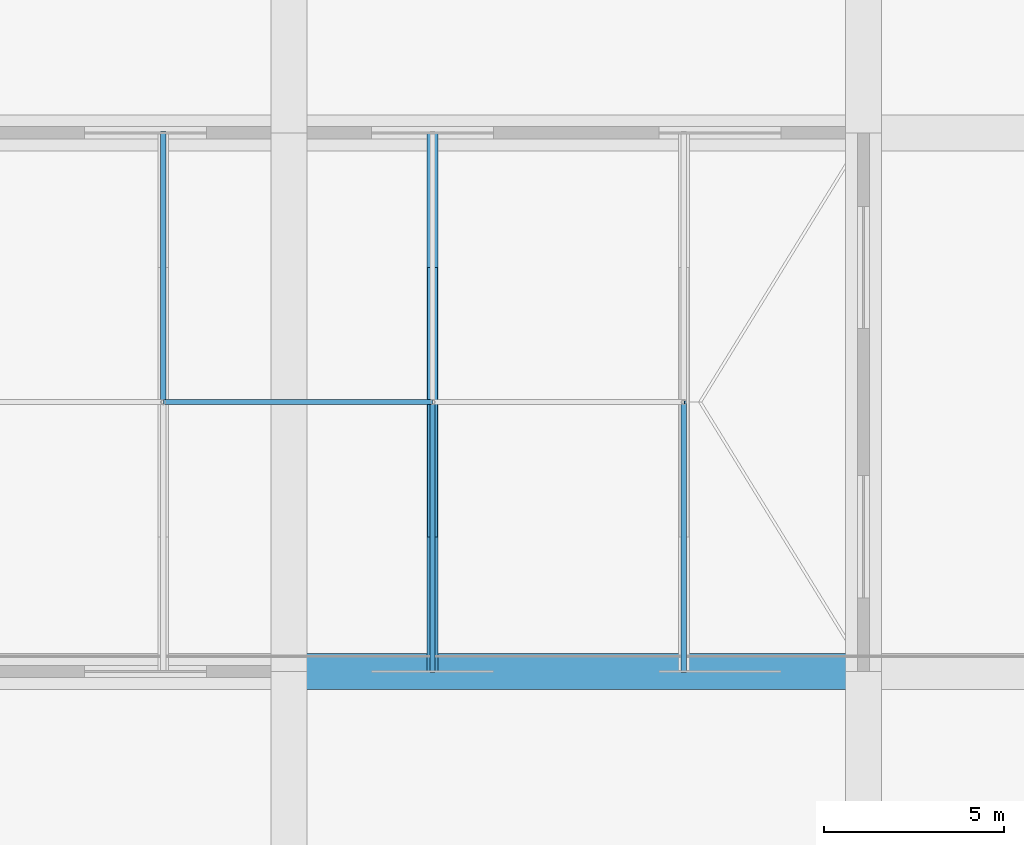
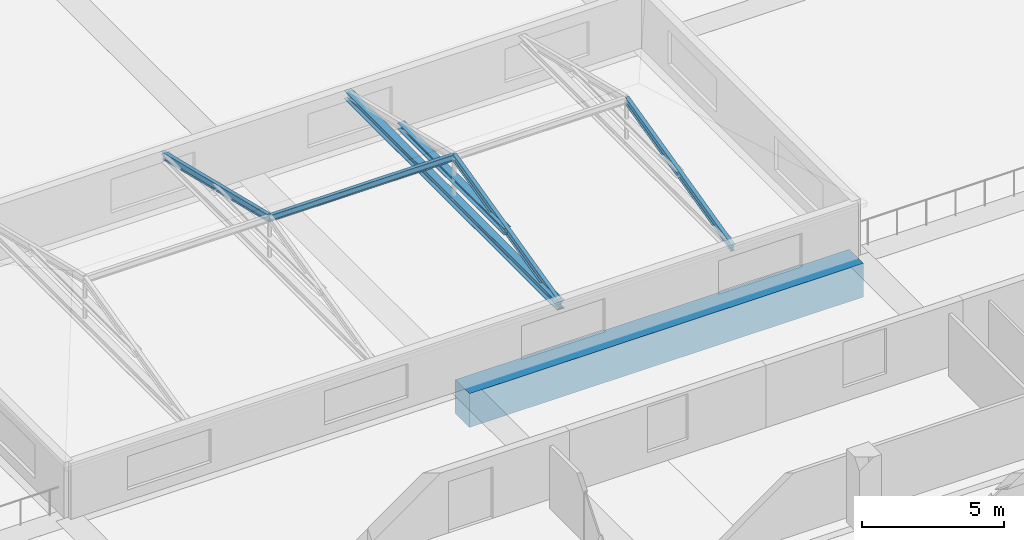
# One storey, part 21 of 49: 6 members, 1 beam.
"""IFC4 building model written with IfcOpenShell, lengths in metres."""

from ifc_helpers import new_model, si_unit, direction, frame, origin, origin_2d, place, context, subcontext, project, spatial, rectangle, i_section, extrude, material, material_profile, profile_set, type_object, element, save


model = new_model("IFC4")

# Units and contexts
model_context = context("Model", 3, precision=1e-05, world=origin(), true_north=direction((0.0, 1.0)))
body_context = subcontext(model_context, "Body", "Model", "MODEL_VIEW")
ifc_project = project(units=[si_unit("LENGTHUNIT", "METRE"), si_unit("AREAUNIT", "SQUARE_METRE"), si_unit("VOLUMEUNIT", "CUBIC_METRE"), si_unit("PLANEANGLEUNIT", "RADIAN"), si_unit("MASSUNIT", "GRAM", prefix="KILO")], contexts=[model_context])

# Site, building, storey
site_placement = place(None, origin())
site = spatial("IfcSite", under=ifc_project, at=site_placement, CompositionType="ELEMENT")
building_placement = place(site_placement, origin())
building = spatial("IfcBuilding", under=site, at=building_placement, Name="Akrevak Sports Hall", CompositionType="ELEMENT")
storey_placement = place(building_placement, frame((0.0, 0.0, 24.14990234375)))
storey = spatial("IfcBuildingStorey", under=building, at=storey_placement, Name="L04", CompositionType="ELEMENT", Elevation=24.14990234375)

# Beam
ifc_material_1 = material(Name="Concrete C50/60", Category="concrete")
ifc_material_profile_1 = material_profile(ifc_material_1, rectangle(XDim=1.0, YDim=1.449951171875, at=origin_2d()), Name="BM 1000x1450", Category="concrete")
ifc_profile_set_1 = profile_set([ifc_material_profile_1], Name="Concrete C50/60")
beam_type = type_object("IfcBeamType", Name="STR-BM-LG1000x1450", PredefinedType="BEAM", material=ifc_profile_set_1)
beam_placement = place(storey_placement, frame((76.0, 84.0, -0.724853515625), z_axis=(1.0, 0.0, 0.0), x_axis=(0.0, 1.0, 0.0)))
element("IfcBeam", 1, at=beam_placement, inside=storey, type_object=beam_type, Name="Girder M/11-13 (L04)", PredefinedType="BEAM", context=body_context, shape_type="SweptSolid", body=[
    extrude(rectangle(XDim=1.0, YDim=1.449951171875, at=origin_2d()), origin(), (0.0, 0.0, 1.0), 16.0),
])

# Members
ifc_material_2 = material(Name="Steel S355", Category="steel")
ifc_material_profile_2 = material_profile(ifc_material_2, i_section(OverallWidth=0.280029296875, OverallDepth=0.27001953125, WebThickness=0.008056640625, FlangeThickness=0.012939453125, FilletRadius=0.02392578125, at=origin_2d()), Name="HEA 280", Category="steel")
ifc_profile_set_2 = profile_set([ifc_material_profile_2], Name="Steel S355")
member_type_1 = type_object("IfcMemberType", Name="STR-MEM-CHORD-HEA280", PredefinedType="CHORD", material=ifc_profile_set_2)
member_1_placement = place(storey_placement, frame((80.0, 87.75, 3.01513671875), z_axis=(0.0, 1.0, 0.0), x_axis=(-1.0, 0.0, 0.0)))
element("IfcMember", 2, at=member_1_placement, inside=storey, type_object=member_type_1, Name="North Athletes Hall Clerestory Monitor Roof Collar Tie Chord 3", PredefinedType="CHORD", context=body_context, shape_type="SweptSolid", body=[
    extrude(i_section(OverallWidth=0.280029296875, OverallDepth=0.27001953125, WebThickness=0.008056640625, FlangeThickness=0.012939453125, FilletRadius=0.02392578125, at=origin_2d()), origin(), (0.0, 0.0, 1.0), 7.5),
])
ifc_material_profile_3 = material_profile(ifc_material_2, i_section(OverallWidth=0.300048828125, OverallDepth=0.360107421875, WebThickness=0.012451171875, FlangeThickness=0.0224609375, FilletRadius=0.027099609375, at=origin_2d()), Name="HEB 360", Category="steel")
ifc_profile_set_3 = profile_set([ifc_material_profile_3], Name="Steel S355")
member_type_2 = type_object("IfcMemberType", Name="STR-MEM-CHORD-HEB360", PredefinedType="CHORD", material=ifc_profile_set_3)
member_2_placement = place(storey_placement, frame((80.0, 84.0, 2.10009765625), z_axis=(0.0, 1.0, 0.0), x_axis=(-1.0, 0.0, 0.0)))
element("IfcMember", 3, at=member_2_placement, inside=storey, type_object=member_type_2, Name="North Athletes Hall Clerestory Monitor Roof Bottom Tie Chord 3", PredefinedType="CHORD", context=body_context, shape_type="SweptSolid", body=[
    extrude(i_section(OverallWidth=0.300048828125, OverallDepth=0.360107421875, WebThickness=0.012451171875, FlangeThickness=0.0224609375, FilletRadius=0.027099609375, at=origin_2d()), origin(), (0.0, 0.0, 1.0), 15.0),
])
ifc_material_profile_4 = material_profile(ifc_material_2, i_section(OverallWidth=0.135009765625, OverallDepth=0.27001953125, WebThickness=0.006591796875, FlangeThickness=0.01025390625, FilletRadius=0.014892578125, at=origin_2d()), Name="IPE 270", Category="steel")
ifc_profile_set_4 = profile_set([ifc_material_profile_4], Name="Steel S355")
member_type_3 = type_object("IfcMemberType", Name="STR-MEM-PUR-IPE270", PredefinedType="PURLIN", material=ifc_profile_set_4)
member_3_placement = place(storey_placement, frame((72.5, 91.5, 3.93017578125), z_axis=(1.0, 0.0, 0.0), x_axis=(0.0, 1.0, 0.0)))
element("IfcMember", 4, at=member_3_placement, inside=storey, type_object=member_type_3, Name="North Athletes Hall Clerestory Monitor Roof Ridge Steel Purlin 2", PredefinedType="PURLIN", context=body_context, shape_type="SweptSolid", body=[
    extrude(i_section(OverallWidth=0.135009765625, OverallDepth=0.27001953125, WebThickness=0.006591796875, FlangeThickness=0.01025390625, FilletRadius=0.014892578125, at=origin_2d()), origin(), (0.0, 0.0, 1.0), 7.5),
])
ifc_material_profile_5 = material_profile(ifc_material_2, i_section(OverallWidth=0.14990234375, OverallDepth=0.300048828125, WebThickness=0.007080078125, FlangeThickness=0.0107421875, FilletRadius=0.014892578125, at=origin_2d()), Name="IPE 300", Category="steel")
ifc_profile_set_5 = profile_set([ifc_material_profile_5], Name="Steel S355")
member_type_4 = type_object("IfcMemberType", Name="STR-MEM-RAF-IPE300", PredefinedType="RAFTER", material=ifc_profile_set_5)
for number, where, z_axis, x_axis, name in (
    (5, (72.5, 99.0, 2.10009765625), (0.0, -0.971496184976, 0.237055188886), (1.0, 0.0, 0.0), "North Athletes Hall Clerestory Monitor Roof North Steel Rafter 2"),
    (6, (80.0, 84.0, 2.10009765625), (0.0, 0.971496184976, 0.237055188886), (-1.0, 0.0, 0.0), "North Athletes Hall Clerestory Monitor Roof South Steel Rafter 3"),
    (7, (87.0, 84.0, 2.10009765625), (0.0, 0.971496184976, 0.237055188886), (-1.0, 0.0, 0.0), "North Athletes Hall Clerestory Monitor Roof South Steel Rafter 4"),
):
    element("IfcMember", number, at=place(storey_placement, frame(where, z_axis=z_axis, x_axis=x_axis)), inside=storey, type_object=member_type_4, Name=name, PredefinedType="RAFTER", context=body_context, shape_type="SweptSolid", body=[
        extrude(i_section(OverallWidth=0.14990234375, OverallDepth=0.300048828125, WebThickness=0.007080078125, FlangeThickness=0.0107421875, FilletRadius=0.014892578125, at=origin_2d()), origin(), (0.0, 0.0, 1.0), 7.719970703125),
    ])

save(model, "model.ifc")
